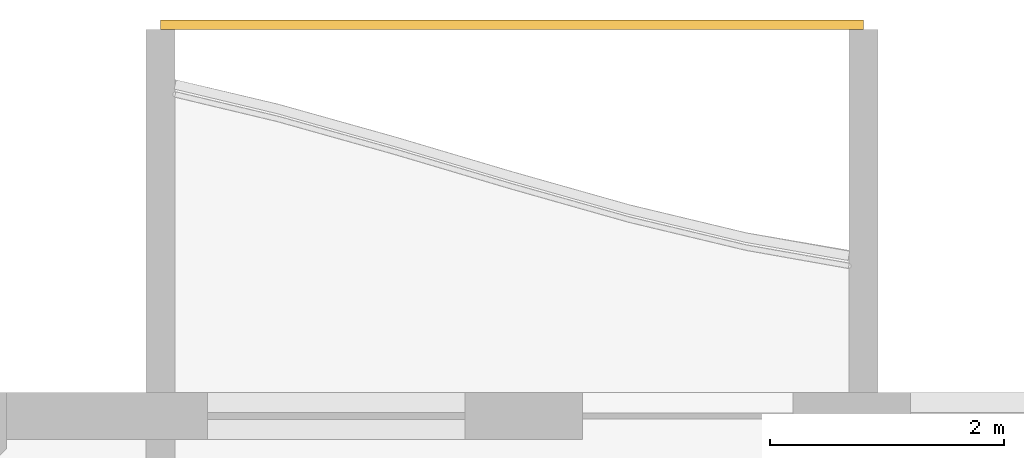
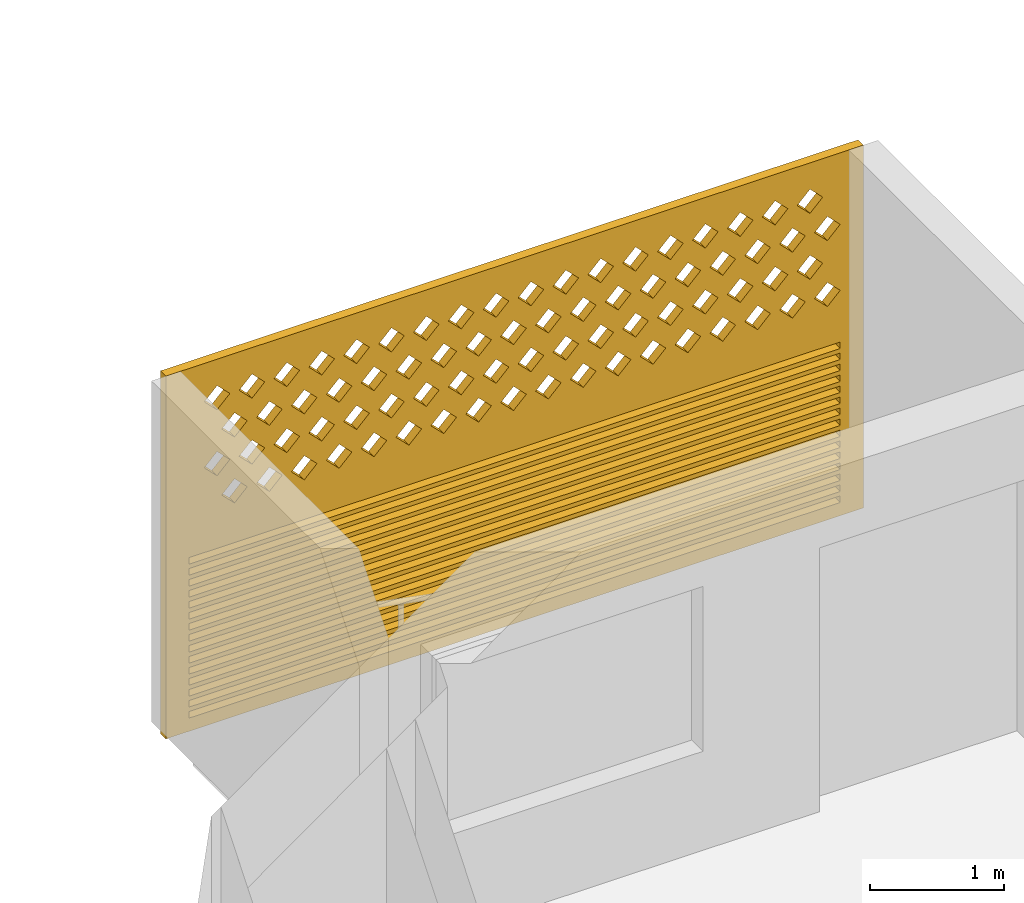
# One storey, part 16 of 26: 1 covering.
"""IFC4 building model written with IfcOpenShell, lengths in metres."""

from ifc_helpers import new_model, si_unit, direction, frame, origin, place, context, subcontext, project, spatial, polyline, outline, extrude, source, transform, mapped, material, material_profile, profile_set, type_object, element, save


model = new_model("IFC4")

# Units and contexts
model_context = context("Model", 3, precision=1e-05, world=origin(), true_north=direction((0.0, 1.0)))
body_context = subcontext(model_context, "Body", "Model", "MODEL_VIEW")
ifc_project = project(units=[si_unit("LENGTHUNIT", "METRE"), si_unit("AREAUNIT", "SQUARE_METRE"), si_unit("VOLUMEUNIT", "CUBIC_METRE"), si_unit("PLANEANGLEUNIT", "RADIAN"), si_unit("MASSUNIT", "GRAM", prefix="KILO")], contexts=[model_context])

# Site, building, storey
site_placement = place(None, origin())
site = spatial("IfcSite", under=ifc_project, at=site_placement, CompositionType="ELEMENT")
building_placement = place(site_placement, origin())
building = spatial("IfcBuilding", under=site, at=building_placement, Name="Poui Terraces", CompositionType="ELEMENT")
storey_placement = place(building_placement, frame((0.0, 0.0, 175.199951171875)))
storey = spatial("IfcBuildingStorey", under=building, at=storey_placement, Name="L48", CompositionType="ELEMENT", Elevation=175.199951171875)

# Covering
ifc_material = material(Name="Terracotta screen", Category="masonry")
ifc_material_profile = material_profile(ifc_material, outline(polyline([(-3.0, -1.64990234375), (3.0, -1.64990234375), (3.0, 1.64990234375), (-3.0, 1.64990234375), (-3.0, -1.64990234375)]), holes=[polyline([(-2.800048828125, 0.39990234375), (-2.68994140625, 0.2900390625), (-2.580078125, 0.39990234375), (-2.68994140625, 0.510009765625), (-2.800048828125, 0.39990234375)]), polyline([(-2.5, 0.39990234375), (-2.389892578125, 0.2900390625), (-2.280029296875, 0.39990234375), (-2.389892578125, 0.510009765625), (-2.5, 0.39990234375)]), polyline([(-2.199951171875, 0.39990234375), (-2.090087890625, 0.2900390625), (-1.97998046875, 0.39990234375), (-2.090087890625, 0.510009765625), (-2.199951171875, 0.39990234375)]), polyline([(-1.89990234375, 0.39990234375), (-1.7900390625, 0.2900390625), (-1.679931640625, 0.39990234375), (-1.7900390625, 0.510009765625), (-1.89990234375, 0.39990234375)]), polyline([(-1.60009765625, 0.39990234375), (-1.489990234375, 0.2900390625), (-1.3798828125, 0.39990234375), (-1.489990234375, 0.510009765625), (-1.60009765625, 0.39990234375)]), polyline([(-1.300048828125, 0.39990234375), (-1.18994140625, 0.2900390625), (-1.080078125, 0.39990234375), (-1.18994140625, 0.510009765625), (-1.300048828125, 0.39990234375)]), polyline([(-1.0, 0.39990234375), (-0.889892578125, 0.2900390625), (-0.780029296875, 0.39990234375), (-0.889892578125, 0.510009765625), (-1.0, 0.39990234375)]), polyline([(-0.699951171875, 0.39990234375), (-0.590087890625, 0.2900390625), (-0.47998046875, 0.39990234375), (-0.590087890625, 0.510009765625), (-0.699951171875, 0.39990234375)]), polyline([(-0.39990234375, 0.39990234375), (-0.2900390625, 0.2900390625), (-0.179931640625, 0.39990234375), (-0.2900390625, 0.510009765625), (-0.39990234375, 0.39990234375)]), polyline([(-0.10009765625, 0.39990234375), (0.010009765625, 0.2900390625), (0.1201171875, 0.39990234375), (0.010009765625, 0.510009765625), (-0.10009765625, 0.39990234375)]), polyline([(0.199951171875, 0.39990234375), (0.31005859375, 0.2900390625), (0.419921875, 0.39990234375), (0.31005859375, 0.510009765625), (0.199951171875, 0.39990234375)]), polyline([(0.5, 0.39990234375), (0.610107421875, 0.2900390625), (0.719970703125, 0.39990234375), (0.610107421875, 0.510009765625), (0.5, 0.39990234375)]), polyline([(0.800048828125, 0.39990234375), (0.909912109375, 0.2900390625), (1.02001953125, 0.39990234375), (0.909912109375, 0.510009765625), (0.800048828125, 0.39990234375)]), polyline([(1.10009765625, 0.39990234375), (1.2099609375, 0.2900390625), (1.320068359375, 0.39990234375), (1.2099609375, 0.510009765625), (1.10009765625, 0.39990234375)]), polyline([(1.39990234375, 0.39990234375), (1.510009765625, 0.2900390625), (1.6201171875, 0.39990234375), (1.510009765625, 0.510009765625), (1.39990234375, 0.39990234375)]), polyline([(1.699951171875, 0.39990234375), (1.81005859375, 0.2900390625), (1.919921875, 0.39990234375), (1.81005859375, 0.510009765625), (1.699951171875, 0.39990234375)]), polyline([(2.0, 0.39990234375), (2.110107421875, 0.2900390625), (2.219970703125, 0.39990234375), (2.110107421875, 0.510009765625), (2.0, 0.39990234375)]), polyline([(2.300048828125, 0.39990234375), (2.409912109375, 0.2900390625), (2.52001953125, 0.39990234375), (2.409912109375, 0.510009765625), (2.300048828125, 0.39990234375)]), polyline([(-2.64990234375, 0.699951171875), (-2.5400390625, 0.590087890625), (-2.429931640625, 0.699951171875), (-2.5400390625, 0.81005859375), (-2.64990234375, 0.699951171875)]), polyline([(-2.35009765625, 0.699951171875), (-2.239990234375, 0.590087890625), (-2.1298828125, 0.699951171875), (-2.239990234375, 0.81005859375), (-2.35009765625, 0.699951171875)]), polyline([(-2.050048828125, 0.699951171875), (-1.93994140625, 0.590087890625), (-1.830078125, 0.699951171875), (-1.93994140625, 0.81005859375), (-2.050048828125, 0.699951171875)]), polyline([(-1.75, 0.699951171875), (-1.639892578125, 0.590087890625), (-1.530029296875, 0.699951171875), (-1.639892578125, 0.81005859375), (-1.75, 0.699951171875)]), polyline([(-1.449951171875, 0.699951171875), (-1.340087890625, 0.590087890625), (-1.22998046875, 0.699951171875), (-1.340087890625, 0.81005859375), (-1.449951171875, 0.699951171875)]), polyline([(-1.14990234375, 0.699951171875), (-1.0400390625, 0.590087890625), (-0.929931640625, 0.699951171875), (-1.0400390625, 0.81005859375), (-1.14990234375, 0.699951171875)]), polyline([(-0.85009765625, 0.699951171875), (-0.739990234375, 0.590087890625), (-0.6298828125, 0.699951171875), (-0.739990234375, 0.81005859375), (-0.85009765625, 0.699951171875)]), polyline([(-0.550048828125, 0.699951171875), (-0.43994140625, 0.590087890625), (-0.330078125, 0.699951171875), (-0.43994140625, 0.81005859375), (-0.550048828125, 0.699951171875)]), polyline([(-0.25, 0.699951171875), (-0.139892578125, 0.590087890625), (-0.030029296875, 0.699951171875), (-0.139892578125, 0.81005859375), (-0.25, 0.699951171875)]), polyline([(0.050048828125, 0.699951171875), (0.159912109375, 0.590087890625), (0.27001953125, 0.699951171875), (0.159912109375, 0.81005859375), (0.050048828125, 0.699951171875)]), polyline([(0.35009765625, 0.699951171875), (0.4599609375, 0.590087890625), (0.570068359375, 0.699951171875), (0.4599609375, 0.81005859375), (0.35009765625, 0.699951171875)]), polyline([(0.64990234375, 0.699951171875), (0.760009765625, 0.590087890625), (0.8701171875, 0.699951171875), (0.760009765625, 0.81005859375), (0.64990234375, 0.699951171875)]), polyline([(0.949951171875, 0.699951171875), (1.06005859375, 0.590087890625), (1.169921875, 0.699951171875), (1.06005859375, 0.81005859375), (0.949951171875, 0.699951171875)]), polyline([(1.25, 0.699951171875), (1.360107421875, 0.590087890625), (1.469970703125, 0.699951171875), (1.360107421875, 0.81005859375), (1.25, 0.699951171875)]), polyline([(1.550048828125, 0.699951171875), (1.659912109375, 0.590087890625), (1.77001953125, 0.699951171875), (1.659912109375, 0.81005859375), (1.550048828125, 0.699951171875)]), polyline([(1.85009765625, 0.699951171875), (1.9599609375, 0.590087890625), (2.070068359375, 0.699951171875), (1.9599609375, 0.81005859375), (1.85009765625, 0.699951171875)]), polyline([(2.14990234375, 0.699951171875), (2.260009765625, 0.590087890625), (2.3701171875, 0.699951171875), (2.260009765625, 0.81005859375), (2.14990234375, 0.699951171875)]), polyline([(2.449951171875, 0.699951171875), (2.56005859375, 0.590087890625), (2.669921875, 0.699951171875), (2.56005859375, 0.81005859375), (2.449951171875, 0.699951171875)]), polyline([(-2.800048828125, 1.0), (-2.68994140625, 0.889892578125), (-2.580078125, 1.0), (-2.68994140625, 1.110107421875), (-2.800048828125, 1.0)]), polyline([(-2.5, 1.0), (-2.389892578125, 0.889892578125), (-2.280029296875, 1.0), (-2.389892578125, 1.110107421875), (-2.5, 1.0)]), polyline([(-2.199951171875, 1.0), (-2.090087890625, 0.889892578125), (-1.97998046875, 1.0), (-2.090087890625, 1.110107421875), (-2.199951171875, 1.0)]), polyline([(-1.89990234375, 1.0), (-1.7900390625, 0.889892578125), (-1.679931640625, 1.0), (-1.7900390625, 1.110107421875), (-1.89990234375, 1.0)]), polyline([(-1.60009765625, 1.0), (-1.489990234375, 0.889892578125), (-1.3798828125, 1.0), (-1.489990234375, 1.110107421875), (-1.60009765625, 1.0)]), polyline([(-1.300048828125, 1.0), (-1.18994140625, 0.889892578125), (-1.080078125, 1.0), (-1.18994140625, 1.110107421875), (-1.300048828125, 1.0)]), polyline([(-1.0, 1.0), (-0.889892578125, 0.889892578125), (-0.780029296875, 1.0), (-0.889892578125, 1.110107421875), (-1.0, 1.0)]), polyline([(-0.699951171875, 1.0), (-0.590087890625, 0.889892578125), (-0.47998046875, 1.0), (-0.590087890625, 1.110107421875), (-0.699951171875, 1.0)]), polyline([(-0.39990234375, 1.0), (-0.2900390625, 0.889892578125), (-0.179931640625, 1.0), (-0.2900390625, 1.110107421875), (-0.39990234375, 1.0)]), polyline([(-0.10009765625, 1.0), (0.010009765625, 0.889892578125), (0.1201171875, 1.0), (0.010009765625, 1.110107421875), (-0.10009765625, 1.0)]), polyline([(0.199951171875, 1.0), (0.31005859375, 0.889892578125), (0.419921875, 1.0), (0.31005859375, 1.110107421875), (0.199951171875, 1.0)]), polyline([(0.5, 1.0), (0.610107421875, 0.889892578125), (0.719970703125, 1.0), (0.610107421875, 1.110107421875), (0.5, 1.0)]), polyline([(0.800048828125, 1.0), (0.909912109375, 0.889892578125), (1.02001953125, 1.0), (0.909912109375, 1.110107421875), (0.800048828125, 1.0)]), polyline([(1.10009765625, 1.0), (1.2099609375, 0.889892578125), (1.320068359375, 1.0), (1.2099609375, 1.110107421875), (1.10009765625, 1.0)]), polyline([(1.39990234375, 1.0), (1.510009765625, 0.889892578125), (1.6201171875, 1.0), (1.510009765625, 1.110107421875), (1.39990234375, 1.0)]), polyline([(1.699951171875, 1.0), (1.81005859375, 0.889892578125), (1.919921875, 1.0), (1.81005859375, 1.110107421875), (1.699951171875, 1.0)]), polyline([(2.0, 1.0), (2.110107421875, 0.889892578125), (2.219970703125, 1.0), (2.110107421875, 1.110107421875), (2.0, 1.0)]), polyline([(2.300048828125, 1.0), (2.409912109375, 0.889892578125), (2.52001953125, 1.0), (2.409912109375, 1.110107421875), (2.300048828125, 1.0)]), polyline([(-2.64990234375, 1.300048828125), (-2.5400390625, 1.18994140625), (-2.429931640625, 1.300048828125), (-2.5400390625, 1.409912109375), (-2.64990234375, 1.300048828125)]), polyline([(-2.35009765625, 1.300048828125), (-2.239990234375, 1.18994140625), (-2.1298828125, 1.300048828125), (-2.239990234375, 1.409912109375), (-2.35009765625, 1.300048828125)]), polyline([(-2.050048828125, 1.300048828125), (-1.93994140625, 1.18994140625), (-1.830078125, 1.300048828125), (-1.93994140625, 1.409912109375), (-2.050048828125, 1.300048828125)]), polyline([(-1.75, 1.300048828125), (-1.639892578125, 1.18994140625), (-1.530029296875, 1.300048828125), (-1.639892578125, 1.409912109375), (-1.75, 1.300048828125)]), polyline([(-1.449951171875, 1.300048828125), (-1.340087890625, 1.18994140625), (-1.22998046875, 1.300048828125), (-1.340087890625, 1.409912109375), (-1.449951171875, 1.300048828125)]), polyline([(-1.14990234375, 1.300048828125), (-1.0400390625, 1.18994140625), (-0.929931640625, 1.300048828125), (-1.0400390625, 1.409912109375), (-1.14990234375, 1.300048828125)]), polyline([(-0.85009765625, 1.300048828125), (-0.739990234375, 1.18994140625), (-0.6298828125, 1.300048828125), (-0.739990234375, 1.409912109375), (-0.85009765625, 1.300048828125)]), polyline([(-0.550048828125, 1.300048828125), (-0.43994140625, 1.18994140625), (-0.330078125, 1.300048828125), (-0.43994140625, 1.409912109375), (-0.550048828125, 1.300048828125)]), polyline([(-0.25, 1.300048828125), (-0.139892578125, 1.18994140625), (-0.030029296875, 1.300048828125), (-0.139892578125, 1.409912109375), (-0.25, 1.300048828125)]), polyline([(0.050048828125, 1.300048828125), (0.159912109375, 1.18994140625), (0.27001953125, 1.300048828125), (0.159912109375, 1.409912109375), (0.050048828125, 1.300048828125)]), polyline([(0.35009765625, 1.300048828125), (0.4599609375, 1.18994140625), (0.570068359375, 1.300048828125), (0.4599609375, 1.409912109375), (0.35009765625, 1.300048828125)]), polyline([(0.64990234375, 1.300048828125), (0.760009765625, 1.18994140625), (0.8701171875, 1.300048828125), (0.760009765625, 1.409912109375), (0.64990234375, 1.300048828125)]), polyline([(0.949951171875, 1.300048828125), (1.06005859375, 1.18994140625), (1.169921875, 1.300048828125), (1.06005859375, 1.409912109375), (0.949951171875, 1.300048828125)]), polyline([(1.25, 1.300048828125), (1.360107421875, 1.18994140625), (1.469970703125, 1.300048828125), (1.360107421875, 1.409912109375), (1.25, 1.300048828125)]), polyline([(1.550048828125, 1.300048828125), (1.659912109375, 1.18994140625), (1.77001953125, 1.300048828125), (1.659912109375, 1.409912109375), (1.550048828125, 1.300048828125)]), polyline([(1.85009765625, 1.300048828125), (1.9599609375, 1.18994140625), (2.070068359375, 1.300048828125), (1.9599609375, 1.409912109375), (1.85009765625, 1.300048828125)]), polyline([(2.14990234375, 1.300048828125), (2.260009765625, 1.18994140625), (2.3701171875, 1.300048828125), (2.260009765625, 1.409912109375), (2.14990234375, 1.300048828125)]), polyline([(2.449951171875, 1.300048828125), (2.56005859375, 1.18994140625), (2.669921875, 1.300048828125), (2.56005859375, 1.409912109375), (2.449951171875, 1.300048828125)]), polyline([(-2.800048828125, -1.530029296875), (2.800048828125, -1.530029296875), (2.800048828125, -1.469970703125), (-2.800048828125, -1.469970703125), (-2.800048828125, -1.530029296875)]), polyline([(-2.800048828125, -1.429931640625), (2.800048828125, -1.429931640625), (2.800048828125, -1.3701171875), (-2.800048828125, -1.3701171875), (-2.800048828125, -1.429931640625)]), polyline([(-2.800048828125, -1.330078125), (2.800048828125, -1.330078125), (2.800048828125, -1.27001953125), (-2.800048828125, -1.27001953125), (-2.800048828125, -1.330078125)]), polyline([(-2.800048828125, -1.22998046875), (2.800048828125, -1.22998046875), (2.800048828125, -1.169921875), (-2.800048828125, -1.169921875), (-2.800048828125, -1.22998046875)]), polyline([(-2.800048828125, -1.1298828125), (2.800048828125, -1.1298828125), (2.800048828125, -1.070068359375), (-2.800048828125, -1.070068359375), (-2.800048828125, -1.1298828125)]), polyline([(-2.800048828125, -1.030029296875), (2.800048828125, -1.030029296875), (2.800048828125, -0.969970703125), (-2.800048828125, -0.969970703125), (-2.800048828125, -1.030029296875)]), polyline([(-2.800048828125, -0.929931640625), (2.800048828125, -0.929931640625), (2.800048828125, -0.8701171875), (-2.800048828125, -0.8701171875), (-2.800048828125, -0.929931640625)]), polyline([(-2.800048828125, -0.830078125), (2.800048828125, -0.830078125), (2.800048828125, -0.77001953125), (-2.800048828125, -0.77001953125), (-2.800048828125, -0.830078125)]), polyline([(-2.800048828125, -0.72998046875), (2.800048828125, -0.72998046875), (2.800048828125, -0.669921875), (-2.800048828125, -0.669921875), (-2.800048828125, -0.72998046875)]), polyline([(-2.800048828125, -0.6298828125), (2.800048828125, -0.6298828125), (2.800048828125, -0.570068359375), (-2.800048828125, -0.570068359375), (-2.800048828125, -0.6298828125)]), polyline([(-2.800048828125, -0.530029296875), (2.800048828125, -0.530029296875), (2.800048828125, -0.469970703125), (-2.800048828125, -0.469970703125), (-2.800048828125, -0.530029296875)]), polyline([(-2.800048828125, -0.429931640625), (2.800048828125, -0.429931640625), (2.800048828125, -0.3701171875), (-2.800048828125, -0.3701171875), (-2.800048828125, -0.429931640625)]), polyline([(-2.800048828125, -0.330078125), (2.800048828125, -0.330078125), (2.800048828125, -0.27001953125), (-2.800048828125, -0.27001953125), (-2.800048828125, -0.330078125)]), polyline([(-2.800048828125, -0.22998046875), (2.800048828125, -0.22998046875), (2.800048828125, -0.169921875), (-2.800048828125, -0.169921875), (-2.800048828125, -0.22998046875)]), polyline([(-2.800048828125, -0.1298828125), (2.800048828125, -0.1298828125), (2.800048828125, -0.070068359375), (-2.800048828125, -0.070068359375), (-2.800048828125, -0.1298828125)])]), Name="TERRACOTTA SCREEN AND JALOUSIE LOUVRE 6000X3300")
ifc_profile_set = profile_set([ifc_material_profile], Name="Terracotta screen")
covering_type = type_object("IfcCoveringType", Name="TERRACOTTA SCREEN AND JALOUSIE LOUVRE 6000X3300", PredefinedType="CLADDING", material=ifc_profile_set)
shared_shape = source(origin(), body_context, "Body", "SweptSolid", [
    extrude(outline(polyline([(-3.0, -1.64990234375), (3.0, -1.64990234375), (3.0, 1.64990234375), (-3.0, 1.64990234375), (-3.0, -1.64990234375)]), holes=[polyline([(-2.800048828125, 0.39990234375), (-2.68994140625, 0.2900390625), (-2.580078125, 0.39990234375), (-2.68994140625, 0.510009765625), (-2.800048828125, 0.39990234375)]), polyline([(-2.5, 0.39990234375), (-2.389892578125, 0.2900390625), (-2.280029296875, 0.39990234375), (-2.389892578125, 0.510009765625), (-2.5, 0.39990234375)]), polyline([(-2.199951171875, 0.39990234375), (-2.090087890625, 0.2900390625), (-1.97998046875, 0.39990234375), (-2.090087890625, 0.510009765625), (-2.199951171875, 0.39990234375)]), polyline([(-1.89990234375, 0.39990234375), (-1.7900390625, 0.2900390625), (-1.679931640625, 0.39990234375), (-1.7900390625, 0.510009765625), (-1.89990234375, 0.39990234375)]), polyline([(-1.60009765625, 0.39990234375), (-1.489990234375, 0.2900390625), (-1.3798828125, 0.39990234375), (-1.489990234375, 0.510009765625), (-1.60009765625, 0.39990234375)]), polyline([(-1.300048828125, 0.39990234375), (-1.18994140625, 0.2900390625), (-1.080078125, 0.39990234375), (-1.18994140625, 0.510009765625), (-1.300048828125, 0.39990234375)]), polyline([(-1.0, 0.39990234375), (-0.889892578125, 0.2900390625), (-0.780029296875, 0.39990234375), (-0.889892578125, 0.510009765625), (-1.0, 0.39990234375)]), polyline([(-0.699951171875, 0.39990234375), (-0.590087890625, 0.2900390625), (-0.47998046875, 0.39990234375), (-0.590087890625, 0.510009765625), (-0.699951171875, 0.39990234375)]), polyline([(-0.39990234375, 0.39990234375), (-0.2900390625, 0.2900390625), (-0.179931640625, 0.39990234375), (-0.2900390625, 0.510009765625), (-0.39990234375, 0.39990234375)]), polyline([(-0.10009765625, 0.39990234375), (0.010009765625, 0.2900390625), (0.1201171875, 0.39990234375), (0.010009765625, 0.510009765625), (-0.10009765625, 0.39990234375)]), polyline([(0.199951171875, 0.39990234375), (0.31005859375, 0.2900390625), (0.419921875, 0.39990234375), (0.31005859375, 0.510009765625), (0.199951171875, 0.39990234375)]), polyline([(0.5, 0.39990234375), (0.610107421875, 0.2900390625), (0.719970703125, 0.39990234375), (0.610107421875, 0.510009765625), (0.5, 0.39990234375)]), polyline([(0.800048828125, 0.39990234375), (0.909912109375, 0.2900390625), (1.02001953125, 0.39990234375), (0.909912109375, 0.510009765625), (0.800048828125, 0.39990234375)]), polyline([(1.10009765625, 0.39990234375), (1.2099609375, 0.2900390625), (1.320068359375, 0.39990234375), (1.2099609375, 0.510009765625), (1.10009765625, 0.39990234375)]), polyline([(1.39990234375, 0.39990234375), (1.510009765625, 0.2900390625), (1.6201171875, 0.39990234375), (1.510009765625, 0.510009765625), (1.39990234375, 0.39990234375)]), polyline([(1.699951171875, 0.39990234375), (1.81005859375, 0.2900390625), (1.919921875, 0.39990234375), (1.81005859375, 0.510009765625), (1.699951171875, 0.39990234375)]), polyline([(2.0, 0.39990234375), (2.110107421875, 0.2900390625), (2.219970703125, 0.39990234375), (2.110107421875, 0.510009765625), (2.0, 0.39990234375)]), polyline([(2.300048828125, 0.39990234375), (2.409912109375, 0.2900390625), (2.52001953125, 0.39990234375), (2.409912109375, 0.510009765625), (2.300048828125, 0.39990234375)]), polyline([(-2.64990234375, 0.699951171875), (-2.5400390625, 0.590087890625), (-2.429931640625, 0.699951171875), (-2.5400390625, 0.81005859375), (-2.64990234375, 0.699951171875)]), polyline([(-2.35009765625, 0.699951171875), (-2.239990234375, 0.590087890625), (-2.1298828125, 0.699951171875), (-2.239990234375, 0.81005859375), (-2.35009765625, 0.699951171875)]), polyline([(-2.050048828125, 0.699951171875), (-1.93994140625, 0.590087890625), (-1.830078125, 0.699951171875), (-1.93994140625, 0.81005859375), (-2.050048828125, 0.699951171875)]), polyline([(-1.75, 0.699951171875), (-1.639892578125, 0.590087890625), (-1.530029296875, 0.699951171875), (-1.639892578125, 0.81005859375), (-1.75, 0.699951171875)]), polyline([(-1.449951171875, 0.699951171875), (-1.340087890625, 0.590087890625), (-1.22998046875, 0.699951171875), (-1.340087890625, 0.81005859375), (-1.449951171875, 0.699951171875)]), polyline([(-1.14990234375, 0.699951171875), (-1.0400390625, 0.590087890625), (-0.929931640625, 0.699951171875), (-1.0400390625, 0.81005859375), (-1.14990234375, 0.699951171875)]), polyline([(-0.85009765625, 0.699951171875), (-0.739990234375, 0.590087890625), (-0.6298828125, 0.699951171875), (-0.739990234375, 0.81005859375), (-0.85009765625, 0.699951171875)]), polyline([(-0.550048828125, 0.699951171875), (-0.43994140625, 0.590087890625), (-0.330078125, 0.699951171875), (-0.43994140625, 0.81005859375), (-0.550048828125, 0.699951171875)]), polyline([(-0.25, 0.699951171875), (-0.139892578125, 0.590087890625), (-0.030029296875, 0.699951171875), (-0.139892578125, 0.81005859375), (-0.25, 0.699951171875)]), polyline([(0.050048828125, 0.699951171875), (0.159912109375, 0.590087890625), (0.27001953125, 0.699951171875), (0.159912109375, 0.81005859375), (0.050048828125, 0.699951171875)]), polyline([(0.35009765625, 0.699951171875), (0.4599609375, 0.590087890625), (0.570068359375, 0.699951171875), (0.4599609375, 0.81005859375), (0.35009765625, 0.699951171875)]), polyline([(0.64990234375, 0.699951171875), (0.760009765625, 0.590087890625), (0.8701171875, 0.699951171875), (0.760009765625, 0.81005859375), (0.64990234375, 0.699951171875)]), polyline([(0.949951171875, 0.699951171875), (1.06005859375, 0.590087890625), (1.169921875, 0.699951171875), (1.06005859375, 0.81005859375), (0.949951171875, 0.699951171875)]), polyline([(1.25, 0.699951171875), (1.360107421875, 0.590087890625), (1.469970703125, 0.699951171875), (1.360107421875, 0.81005859375), (1.25, 0.699951171875)]), polyline([(1.550048828125, 0.699951171875), (1.659912109375, 0.590087890625), (1.77001953125, 0.699951171875), (1.659912109375, 0.81005859375), (1.550048828125, 0.699951171875)]), polyline([(1.85009765625, 0.699951171875), (1.9599609375, 0.590087890625), (2.070068359375, 0.699951171875), (1.9599609375, 0.81005859375), (1.85009765625, 0.699951171875)]), polyline([(2.14990234375, 0.699951171875), (2.260009765625, 0.590087890625), (2.3701171875, 0.699951171875), (2.260009765625, 0.81005859375), (2.14990234375, 0.699951171875)]), polyline([(2.449951171875, 0.699951171875), (2.56005859375, 0.590087890625), (2.669921875, 0.699951171875), (2.56005859375, 0.81005859375), (2.449951171875, 0.699951171875)]), polyline([(-2.800048828125, 1.0), (-2.68994140625, 0.889892578125), (-2.580078125, 1.0), (-2.68994140625, 1.110107421875), (-2.800048828125, 1.0)]), polyline([(-2.5, 1.0), (-2.389892578125, 0.889892578125), (-2.280029296875, 1.0), (-2.389892578125, 1.110107421875), (-2.5, 1.0)]), polyline([(-2.199951171875, 1.0), (-2.090087890625, 0.889892578125), (-1.97998046875, 1.0), (-2.090087890625, 1.110107421875), (-2.199951171875, 1.0)]), polyline([(-1.89990234375, 1.0), (-1.7900390625, 0.889892578125), (-1.679931640625, 1.0), (-1.7900390625, 1.110107421875), (-1.89990234375, 1.0)]), polyline([(-1.60009765625, 1.0), (-1.489990234375, 0.889892578125), (-1.3798828125, 1.0), (-1.489990234375, 1.110107421875), (-1.60009765625, 1.0)]), polyline([(-1.300048828125, 1.0), (-1.18994140625, 0.889892578125), (-1.080078125, 1.0), (-1.18994140625, 1.110107421875), (-1.300048828125, 1.0)]), polyline([(-1.0, 1.0), (-0.889892578125, 0.889892578125), (-0.780029296875, 1.0), (-0.889892578125, 1.110107421875), (-1.0, 1.0)]), polyline([(-0.699951171875, 1.0), (-0.590087890625, 0.889892578125), (-0.47998046875, 1.0), (-0.590087890625, 1.110107421875), (-0.699951171875, 1.0)]), polyline([(-0.39990234375, 1.0), (-0.2900390625, 0.889892578125), (-0.179931640625, 1.0), (-0.2900390625, 1.110107421875), (-0.39990234375, 1.0)]), polyline([(-0.10009765625, 1.0), (0.010009765625, 0.889892578125), (0.1201171875, 1.0), (0.010009765625, 1.110107421875), (-0.10009765625, 1.0)]), polyline([(0.199951171875, 1.0), (0.31005859375, 0.889892578125), (0.419921875, 1.0), (0.31005859375, 1.110107421875), (0.199951171875, 1.0)]), polyline([(0.5, 1.0), (0.610107421875, 0.889892578125), (0.719970703125, 1.0), (0.610107421875, 1.110107421875), (0.5, 1.0)]), polyline([(0.800048828125, 1.0), (0.909912109375, 0.889892578125), (1.02001953125, 1.0), (0.909912109375, 1.110107421875), (0.800048828125, 1.0)]), polyline([(1.10009765625, 1.0), (1.2099609375, 0.889892578125), (1.320068359375, 1.0), (1.2099609375, 1.110107421875), (1.10009765625, 1.0)]), polyline([(1.39990234375, 1.0), (1.510009765625, 0.889892578125), (1.6201171875, 1.0), (1.510009765625, 1.110107421875), (1.39990234375, 1.0)]), polyline([(1.699951171875, 1.0), (1.81005859375, 0.889892578125), (1.919921875, 1.0), (1.81005859375, 1.110107421875), (1.699951171875, 1.0)]), polyline([(2.0, 1.0), (2.110107421875, 0.889892578125), (2.219970703125, 1.0), (2.110107421875, 1.110107421875), (2.0, 1.0)]), polyline([(2.300048828125, 1.0), (2.409912109375, 0.889892578125), (2.52001953125, 1.0), (2.409912109375, 1.110107421875), (2.300048828125, 1.0)]), polyline([(-2.64990234375, 1.300048828125), (-2.5400390625, 1.18994140625), (-2.429931640625, 1.300048828125), (-2.5400390625, 1.409912109375), (-2.64990234375, 1.300048828125)]), polyline([(-2.35009765625, 1.300048828125), (-2.239990234375, 1.18994140625), (-2.1298828125, 1.300048828125), (-2.239990234375, 1.409912109375), (-2.35009765625, 1.300048828125)]), polyline([(-2.050048828125, 1.300048828125), (-1.93994140625, 1.18994140625), (-1.830078125, 1.300048828125), (-1.93994140625, 1.409912109375), (-2.050048828125, 1.300048828125)]), polyline([(-1.75, 1.300048828125), (-1.639892578125, 1.18994140625), (-1.530029296875, 1.300048828125), (-1.639892578125, 1.409912109375), (-1.75, 1.300048828125)]), polyline([(-1.449951171875, 1.300048828125), (-1.340087890625, 1.18994140625), (-1.22998046875, 1.300048828125), (-1.340087890625, 1.409912109375), (-1.449951171875, 1.300048828125)]), polyline([(-1.14990234375, 1.300048828125), (-1.0400390625, 1.18994140625), (-0.929931640625, 1.300048828125), (-1.0400390625, 1.409912109375), (-1.14990234375, 1.300048828125)]), polyline([(-0.85009765625, 1.300048828125), (-0.739990234375, 1.18994140625), (-0.6298828125, 1.300048828125), (-0.739990234375, 1.409912109375), (-0.85009765625, 1.300048828125)]), polyline([(-0.550048828125, 1.300048828125), (-0.43994140625, 1.18994140625), (-0.330078125, 1.300048828125), (-0.43994140625, 1.409912109375), (-0.550048828125, 1.300048828125)]), polyline([(-0.25, 1.300048828125), (-0.139892578125, 1.18994140625), (-0.030029296875, 1.300048828125), (-0.139892578125, 1.409912109375), (-0.25, 1.300048828125)]), polyline([(0.050048828125, 1.300048828125), (0.159912109375, 1.18994140625), (0.27001953125, 1.300048828125), (0.159912109375, 1.409912109375), (0.050048828125, 1.300048828125)]), polyline([(0.35009765625, 1.300048828125), (0.4599609375, 1.18994140625), (0.570068359375, 1.300048828125), (0.4599609375, 1.409912109375), (0.35009765625, 1.300048828125)]), polyline([(0.64990234375, 1.300048828125), (0.760009765625, 1.18994140625), (0.8701171875, 1.300048828125), (0.760009765625, 1.409912109375), (0.64990234375, 1.300048828125)]), polyline([(0.949951171875, 1.300048828125), (1.06005859375, 1.18994140625), (1.169921875, 1.300048828125), (1.06005859375, 1.409912109375), (0.949951171875, 1.300048828125)]), polyline([(1.25, 1.300048828125), (1.360107421875, 1.18994140625), (1.469970703125, 1.300048828125), (1.360107421875, 1.409912109375), (1.25, 1.300048828125)]), polyline([(1.550048828125, 1.300048828125), (1.659912109375, 1.18994140625), (1.77001953125, 1.300048828125), (1.659912109375, 1.409912109375), (1.550048828125, 1.300048828125)]), polyline([(1.85009765625, 1.300048828125), (1.9599609375, 1.18994140625), (2.070068359375, 1.300048828125), (1.9599609375, 1.409912109375), (1.85009765625, 1.300048828125)]), polyline([(2.14990234375, 1.300048828125), (2.260009765625, 1.18994140625), (2.3701171875, 1.300048828125), (2.260009765625, 1.409912109375), (2.14990234375, 1.300048828125)]), polyline([(2.449951171875, 1.300048828125), (2.56005859375, 1.18994140625), (2.669921875, 1.300048828125), (2.56005859375, 1.409912109375), (2.449951171875, 1.300048828125)]), polyline([(-2.800048828125, -1.530029296875), (2.800048828125, -1.530029296875), (2.800048828125, -1.469970703125), (-2.800048828125, -1.469970703125), (-2.800048828125, -1.530029296875)]), polyline([(-2.800048828125, -1.429931640625), (2.800048828125, -1.429931640625), (2.800048828125, -1.3701171875), (-2.800048828125, -1.3701171875), (-2.800048828125, -1.429931640625)]), polyline([(-2.800048828125, -1.330078125), (2.800048828125, -1.330078125), (2.800048828125, -1.27001953125), (-2.800048828125, -1.27001953125), (-2.800048828125, -1.330078125)]), polyline([(-2.800048828125, -1.22998046875), (2.800048828125, -1.22998046875), (2.800048828125, -1.169921875), (-2.800048828125, -1.169921875), (-2.800048828125, -1.22998046875)]), polyline([(-2.800048828125, -1.1298828125), (2.800048828125, -1.1298828125), (2.800048828125, -1.070068359375), (-2.800048828125, -1.070068359375), (-2.800048828125, -1.1298828125)]), polyline([(-2.800048828125, -1.030029296875), (2.800048828125, -1.030029296875), (2.800048828125, -0.969970703125), (-2.800048828125, -0.969970703125), (-2.800048828125, -1.030029296875)]), polyline([(-2.800048828125, -0.929931640625), (2.800048828125, -0.929931640625), (2.800048828125, -0.8701171875), (-2.800048828125, -0.8701171875), (-2.800048828125, -0.929931640625)]), polyline([(-2.800048828125, -0.830078125), (2.800048828125, -0.830078125), (2.800048828125, -0.77001953125), (-2.800048828125, -0.77001953125), (-2.800048828125, -0.830078125)]), polyline([(-2.800048828125, -0.72998046875), (2.800048828125, -0.72998046875), (2.800048828125, -0.669921875), (-2.800048828125, -0.669921875), (-2.800048828125, -0.72998046875)]), polyline([(-2.800048828125, -0.6298828125), (2.800048828125, -0.6298828125), (2.800048828125, -0.570068359375), (-2.800048828125, -0.570068359375), (-2.800048828125, -0.6298828125)]), polyline([(-2.800048828125, -0.530029296875), (2.800048828125, -0.530029296875), (2.800048828125, -0.469970703125), (-2.800048828125, -0.469970703125), (-2.800048828125, -0.530029296875)]), polyline([(-2.800048828125, -0.429931640625), (2.800048828125, -0.429931640625), (2.800048828125, -0.3701171875), (-2.800048828125, -0.3701171875), (-2.800048828125, -0.429931640625)]), polyline([(-2.800048828125, -0.330078125), (2.800048828125, -0.330078125), (2.800048828125, -0.27001953125), (-2.800048828125, -0.27001953125), (-2.800048828125, -0.330078125)]), polyline([(-2.800048828125, -0.22998046875), (2.800048828125, -0.22998046875), (2.800048828125, -0.169921875), (-2.800048828125, -0.169921875), (-2.800048828125, -0.22998046875)]), polyline([(-2.800048828125, -0.1298828125), (2.800048828125, -0.1298828125), (2.800048828125, -0.070068359375), (-2.800048828125, -0.070068359375), (-2.800048828125, -0.1298828125)])]), origin(), (0.0, 0.0, 1.0), 0.080078125),
])
covering_placement = place(storey_placement, frame((27.0, 44.5, 1.449951171875), z_axis=(0.0, 1.0, 0.0), x_axis=(-1.0, 0.0, 0.0)))
element("IfcCovering", 1, at=covering_placement, inside=storey, type_object=covering_type, Name="SOLAR SCREEN AND JALOUSIE LOUVRE", PredefinedType="CLADDING", context=body_context, shape_type="MappedRepresentation", body=[
    mapped(shared_shape, transform((0.0, 0.0, 0.0))),
])

save(model, "model.ifc")
